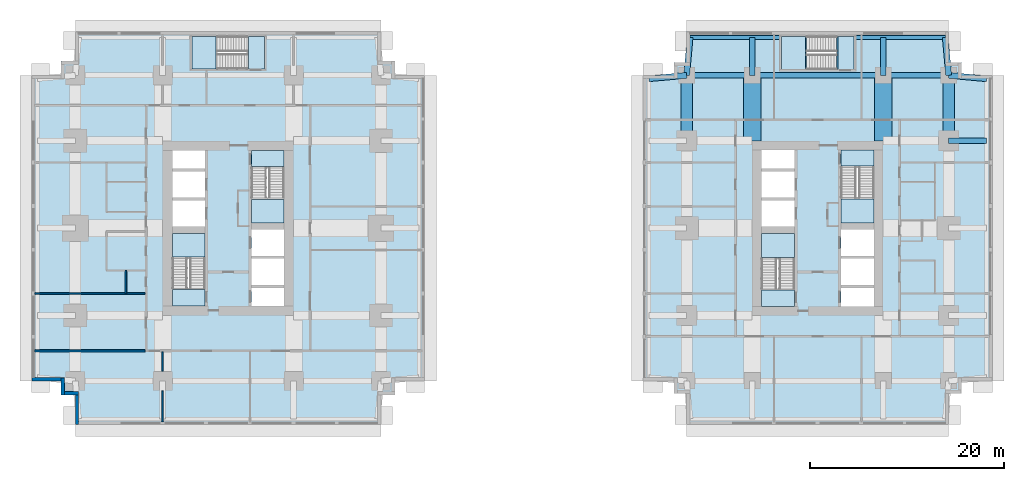
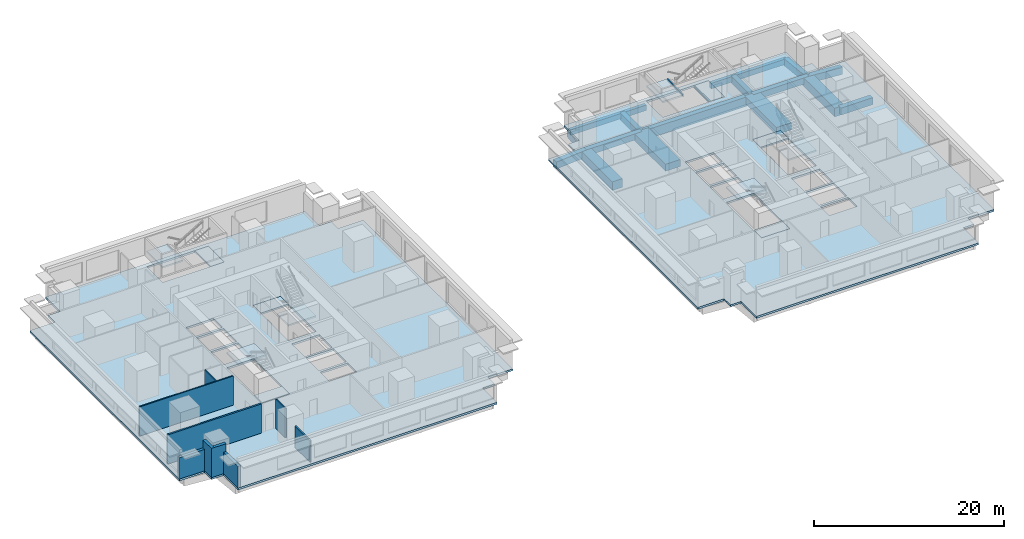
# One storey, part 2 of 11: 18 beams, 14 slabs, 9 walls, 6 elements without a shape of their own.
"""IFC4 building model written with IfcOpenShell, lengths in metres."""

from ifc_helpers import new_model, si_unit, direction, frame, frame_2d, origin, origin_2d, place, context, subcontext, project, spatial, polyline, rectangle, i_section, outline, extrude, material, layer, layer_set, material_profile, profile_set, type_object, element, aggregate, save


model = new_model("IFC4")

# Units and contexts
model_context = context("Model", 3, precision=1e-05, world=origin(), true_north=direction((0.0, 1.0)))
body_context = subcontext(model_context, "Body", "Model", "MODEL_VIEW")
ifc_project = project(units=[si_unit("LENGTHUNIT", "METRE"), si_unit("AREAUNIT", "SQUARE_METRE"), si_unit("VOLUMEUNIT", "CUBIC_METRE"), si_unit("PLANEANGLEUNIT", "RADIAN"), si_unit("MASSUNIT", "GRAM", prefix="KILO")], contexts=[model_context])

# Site, building, storey
site_placement = place(None, origin())
site = spatial("IfcSite", under=ifc_project, at=site_placement, CompositionType="ELEMENT")
building_placement = place(site_placement, origin())
building = spatial("IfcBuilding", under=site, at=building_placement, Name="Namib Vertical Campus", CompositionType="ELEMENT")
storey_placement = place(building_placement, frame((0.0, 0.0, 73.0)))
storey = spatial("IfcBuildingStorey", under=building, at=storey_placement, Name="L17", CompositionType="ELEMENT", Elevation=73.0)

# Beams
ifc_material_1 = material(Name="Concrete C40/50", Category="concrete")
ifc_material_profile_1 = material_profile(ifc_material_1, rectangle(XDim=0.60009765625, YDim=0.89990234375, at=origin_2d()))
ifc_profile_set_1 = profile_set([ifc_material_profile_1], Name="Concrete C40/50")
beam_type_1 = type_object("IfcBeamType", Name="Cantilever girder RC 600x900", PredefinedType="BEAM", material=ifc_profile_set_1)
beam_1_placement = place(storey_placement, frame((67.5, 36.0, -0.699951171875), z_axis=(0.089411326146, 0.995994786511, 0.0), x_axis=(-0.995994786511, 0.089411326146, 0.0)))
element("IfcBeam", 1, at=beam_1_placement, inside=storey, type_object=beam_type_1, Name="Beam B3 L17", PredefinedType="BEAM", context=body_context, shape_type="SweptSolid", body=[
    extrude(rectangle(XDim=0.60009765625, YDim=0.89990234375, at=origin_2d()), origin(), (0.0, 0.0, 1.0), 3.91552734375),
])
for number, where, z_axis, x_axis, name in (
    (2, (74.25, 36.0, -0.699951171875), (0.0, 1.0, 0.0), (-1.0, 0.0, 0.0), "Beam B3 L17"),
    (3, (87.75, 36.0, -0.699951171875), (0.0, 1.0, 0.0), (-1.0, 0.0, 0.0), "Beam B3 L17"),
):
    element("IfcBeam", number, at=place(storey_placement, frame(where, z_axis=z_axis, x_axis=x_axis)), inside=storey, type_object=beam_type_1, Name=name, PredefinedType="BEAM", context=body_context, shape_type="SweptSolid", body=[
        extrude(rectangle(XDim=0.60009765625, YDim=0.89990234375, at=origin_2d()), origin(), (0.0, 0.0, 1.0), 3.89990234375),
    ])
for number, where, z_axis, x_axis, name in (
    (4, (94.5, 36.0, -0.699951171875), (-0.089411326146, 0.995994786511, 0.0), (-0.995994786511, -0.089411326146, 0.0), "Beam B3 L17"),
    (5, (67.5, 36.0, -0.699951171875), (-0.995994786511, -0.089411326146, 0.0), (0.089411326146, -0.995994786511, 0.0), "Beam B3 L17"),
):
    element("IfcBeam", number, at=place(storey_placement, frame(where, z_axis=z_axis, x_axis=x_axis)), inside=storey, type_object=beam_type_1, Name=name, PredefinedType="BEAM", context=body_context, shape_type="SweptSolid", body=[
        extrude(rectangle(XDim=0.60009765625, YDim=0.89990234375, at=origin_2d()), origin(), (0.0, 0.0, 1.0), 3.91552734375),
    ])
beam_2_placement = place(storey_placement, frame((94.5, 29.25, -0.699951171875), z_axis=(1.0, 0.0, 0.0), x_axis=(0.0, 1.0, 0.0)))
element("IfcBeam", 6, at=beam_2_placement, inside=storey, type_object=beam_type_1, Name="Beam B3 L17", PredefinedType="BEAM", context=body_context, shape_type="SweptSolid", body=[
    extrude(rectangle(XDim=0.60009765625, YDim=0.89990234375, at=origin_2d()), origin(), (0.0, 0.0, 1.0), 3.89990234375),
])
beam_3_placement = place(storey_placement, frame((94.5, 36.0, -0.699951171875), z_axis=(0.995994786511, -0.089411326146, 0.0), x_axis=(0.089411326146, 0.995994786511, 0.0)))
element("IfcBeam", 7, at=beam_3_placement, inside=storey, type_object=beam_type_1, Name="Beam B3 L17", PredefinedType="BEAM", context=body_context, shape_type="SweptSolid", body=[
    extrude(rectangle(XDim=0.60009765625, YDim=0.89990234375, at=origin_2d()), origin(), (0.0, 0.0, 1.0), 3.91552734375),
])
ifc_material_2 = material(Name="Concrete C40/50", Category="concrete")
ifc_material_profile_2 = material_profile(ifc_material_2, rectangle(XDim=0.39990234375, YDim=0.699951171875, at=origin_2d()))
ifc_profile_set_2 = profile_set([ifc_material_profile_2], Name="Concrete C40/50")
beam_type_2 = type_object("IfcBeamType", Name="Edge beam RC 400x700", PredefinedType="SPANDREL", material=ifc_profile_set_2)
for number, where, z_axis, x_axis, name in (
    (8, (67.85009765625, 39.89990234375, -0.60009765625), (1.0, 0.0, 0.0), (0.0, 1.0, 0.0), "Beam B4 L17"),
    (9, (84.949951171875, 39.89990234375, -0.60009765625), (1.0, 0.0, 0.0), (0.0, 1.0, 0.0), "Beam B4 L17"),
):
    element("IfcBeam", number, at=place(storey_placement, frame(where, z_axis=z_axis, x_axis=x_axis)), inside=storey, type_object=beam_type_2, Name=name, PredefinedType="SPANDREL", context=body_context, shape_type="SweptSolid", body=[
        extrude(rectangle(XDim=0.39990234375, YDim=0.699951171875, at=origin_2d()), origin(), (0.0, 0.0, 1.0), 9.199951171875),
    ])
ifc_material_3 = material(Name="Concrete C40/50", Category="concrete")
ifc_material_profile_3 = material_profile(ifc_material_3, rectangle(XDim=1.199951171875, YDim=1.10009765625, at=origin_2d()))
ifc_profile_set_3 = profile_set([ifc_material_profile_3], Name="Concrete C40/50")
beam_type_3 = type_object("IfcBeamType", Name="Face ring beam RC 1200x1100", PredefinedType="BEAM", material=ifc_profile_set_3)
for number, where, z_axis, x_axis, name in (
    (10, (67.5, 29.25, -0.800048828125), (0.0, 1.0, 0.0), (-1.0, 0.0, 0.0), "Beam B11 L17"),
    (11, (94.5, 29.25, -0.800048828125), (0.0, 1.0, 0.0), (-1.0, 0.0, 0.0), "Beam B11 L17"),
):
    element("IfcBeam", number, at=place(storey_placement, frame(where, z_axis=z_axis, x_axis=x_axis)), inside=storey, type_object=beam_type_3, Name=name, PredefinedType="BEAM", context=body_context, shape_type="SweptSolid", body=[
        extrude(rectangle(XDim=1.199951171875, YDim=1.10009765625, at=origin_2d()), origin(), (0.0, 0.0, 1.0), 6.75),
    ])
ifc_material_4 = material(Name="Steel S355JR", Category="steel")
ifc_material_profile_4 = material_profile(ifc_material_4, i_section(OverallWidth=0.14599609375, OverallDepth=0.25146484375, WebThickness=0.006103515625, FlangeThickness=0.008544921875, FilletRadius=0.007568359375, at=origin_2d()))
ifc_profile_set_4 = profile_set([ifc_material_profile_4], Name="Steel S355JR")
beam_type_4 = type_object("IfcBeamType", Name="Landing trimmer UB 254x146x31", PredefinedType="BEAM", material=ifc_profile_set_4)
for number, where, z_axis, x_axis, name in (
    (12, (83.02294921875, 36.60009765625, -0.125732421875), (0.0, 1.0, 0.0), (-1.0, 0.0, 0.0), "Landing trimmer LT1 B-S3 L17 1"),
    (13, (79.796875, 36.60009765625, 1.874267578125), (0.0, 1.0, 0.0), (-1.0, 0.0, 0.0), "Landing trimmer LT1 B-S3 L17 2"),
):
    element("IfcBeam", number, at=place(storey_placement, frame(where, z_axis=z_axis, x_axis=x_axis)), inside=storey, type_object=beam_type_4, Name=name, PredefinedType="BEAM", context=body_context, shape_type="SweptSolid", body=[
        extrude(i_section(OverallWidth=0.14599609375, OverallDepth=0.25146484375, WebThickness=0.006103515625, FlangeThickness=0.008544921875, FilletRadius=0.007568359375, at=origin_2d()), origin(), (0.0, 0.0, 1.0), 3.39990234375),
    ])
ifc_material_5 = material(Name="Concrete C40/50", Category="concrete")
ifc_material_profile_5 = material_profile(ifc_material_5, rectangle(XDim=0.60009765625, YDim=1.199951171875, at=origin_2d()))
ifc_profile_set_5 = profile_set([ifc_material_profile_5], Name="Concrete C40/50")
beam_type_5 = type_object("IfcBeamType", Name="Long-span ring beam RC 600x1200", PredefinedType="BEAM", material=ifc_profile_set_5)
beam_4_placement = place(storey_placement, frame((74.25, 36.0, -0.85009765625), z_axis=(1.0, 0.0, 0.0), x_axis=(0.0, 1.0, 0.0)))
element("IfcBeam", 14, at=beam_4_placement, inside=storey, type_object=beam_type_5, Name="Beam B9 L17", PredefinedType="BEAM", context=body_context, shape_type="SweptSolid", body=[
    extrude(rectangle(XDim=0.60009765625, YDim=1.199951171875, at=origin_2d()), origin(), (0.0, 0.0, 1.0), 13.5),
])
ifc_material_6 = material(Name="Concrete C40/50", Category="concrete")
ifc_material_profile_6 = material_profile(ifc_material_6, rectangle(XDim=1.800048828125, YDim=0.89990234375, at=origin_2d()))
ifc_profile_set_6 = profile_set([ifc_material_profile_6], Name="Concrete C40/50")
beam_type_6 = type_object("IfcBeamType", Name="Outrigger line girder RC 1800x900", PredefinedType="BEAM", material=ifc_profile_set_6)
for number, where, z_axis, x_axis, name in (
    (15, (74.25, 36.0, -0.699951171875), (0.0, -1.0, 0.0), (1.0, 0.0, 0.0), "Beam B12 L17"),
    (16, (87.75, 36.0, -0.699951171875), (0.0, -1.0, 0.0), (1.0, 0.0, 0.0), "Beam B12 L17"),
):
    element("IfcBeam", number, at=place(storey_placement, frame(where, z_axis=z_axis, x_axis=x_axis)), inside=storey, type_object=beam_type_6, Name=name, PredefinedType="BEAM", context=body_context, shape_type="SweptSolid", body=[
        extrude(rectangle(XDim=1.800048828125, YDim=0.89990234375, at=origin_2d()), origin(), (0.0, 0.0, 1.0), 6.75),
    ])
ifc_material_7 = material(Name="Concrete C40/50", Category="concrete")
ifc_material_profile_7 = material_profile(ifc_material_7, rectangle(XDim=0.60009765625, YDim=0.800048828125, at=origin_2d()))
ifc_profile_set_7 = profile_set([ifc_material_profile_7], Name="Concrete C40/50")
beam_type_7 = type_object("IfcBeamType", Name="Ring beam RC 600x800", PredefinedType="BEAM", material=ifc_profile_set_7)
for number, where, z_axis, x_axis, name in (
    (17, (67.5, 36.0, -0.64990234375), (1.0, 0.0, 0.0), (0.0, 1.0, 0.0), "Beam B1 L17"),
    (18, (87.75, 36.0, -0.64990234375), (1.0, 0.0, 0.0), (0.0, 1.0, 0.0), "Beam B1 L17"),
):
    element("IfcBeam", number, at=place(storey_placement, frame(where, z_axis=z_axis, x_axis=x_axis)), inside=storey, type_object=beam_type_7, Name=name, PredefinedType="BEAM", context=body_context, shape_type="SweptSolid", body=[
        extrude(rectangle(XDim=0.60009765625, YDim=0.800048828125, at=origin_2d()), origin(), (0.0, 0.0, 1.0), 6.75),
    ])

# Slabs
ifc_material_8 = material(Name="Concrete C40/50", Category="concrete")
ifc_layer_1 = layer(ifc_material_8, 0.25)
ifc_layer_set_1 = layer_set([ifc_layer_1], Name="Concrete C40/50")
slab_type_1 = type_object("IfcSlabType", Name="Floor slab 250", PredefinedType="FLOOR", material=ifc_layer_set_1)
slab_1_placement = place(storey_placement, frame((0.0, 0.0, -0.25)))
element("IfcSlab", 19, at=slab_1_placement, inside=storey, type_object=slab_type_1, Name="Floor slab A L17", PredefinedType="FLOOR", context=body_context, shape_type="SweptSolid", body=[
    extrude(outline(polyline([(4.5, 0.0), (36.0, 0.0), (36.0, 3.050048828125), (37.449951171875, 3.050048828125), (37.449951171875, 4.5), (40.5, 4.5), (40.5, 36.0), (37.449951171875, 36.0), (37.449951171875, 37.449951171875), (36.0, 37.449951171875), (36.0, 40.5), (4.5, 40.5), (4.5, 37.449951171875), (3.050048828125, 37.449951171875), (3.050048828125, 36.0), (0.0, 36.0), (0.0, 4.5), (3.050048828125, 4.5), (3.050048828125, 3.050048828125), (4.5, 3.050048828125), (4.5, 0.0)]), holes=[polyline([(14.5, 12.25), (17.85009765625, 12.25), (17.85009765625, 19.699951171875), (14.5, 19.699951171875), (14.5, 12.25)]), polyline([(22.64990234375, 20.800048828125), (26.0, 20.800048828125), (26.0, 28.25), (22.64990234375, 28.25), (22.64990234375, 20.800048828125)]), polyline([(22.64990234375, 12.25), (26.0, 12.25), (26.0, 14.10009765625), (22.64990234375, 14.10009765625), (22.64990234375, 12.25)]), polyline([(14.5, 20.39990234375), (17.85009765625, 20.39990234375), (17.85009765625, 23.10009765625), (14.5, 23.10009765625), (14.5, 20.39990234375)]), polyline([(14.5, 23.39990234375), (17.85009765625, 23.39990234375), (17.85009765625, 26.10009765625), (14.5, 26.10009765625), (14.5, 23.39990234375)]), polyline([(14.5, 26.39990234375), (17.85009765625, 26.39990234375), (17.85009765625, 28.25), (14.5, 28.25), (14.5, 26.39990234375)]), polyline([(22.64990234375, 14.39990234375), (26.0, 14.39990234375), (26.0, 17.10009765625), (22.64990234375, 17.10009765625), (22.64990234375, 14.39990234375)]), polyline([(22.64990234375, 17.39990234375), (26.0, 17.39990234375), (26.0, 20.10009765625), (22.64990234375, 20.10009765625), (22.64990234375, 17.39990234375)]), polyline([(16.5, 36.64990234375), (24.0, 36.64990234375), (24.0, 40.0), (16.5, 40.0), (16.5, 36.64990234375)])]), origin(), (0.0, 0.0, 1.0), 0.25),
])
slab_2_placement = place(storey_placement, frame((0.0, 0.0, -0.25)))
element("IfcSlab", 20, at=slab_2_placement, inside=storey, type_object=slab_type_1, Name="Floor slab B L17", PredefinedType="FLOOR", context=body_context, shape_type="SweptSolid", body=[
    extrude(outline(polyline([(67.5, 0.0), (94.5, 0.0), (94.5, 3.199951171875), (95.800048828125, 3.199951171875), (95.800048828125, 4.5), (99.0, 4.5), (99.0, 36.0), (95.800048828125, 36.0), (95.800048828125, 37.300048828125), (94.5, 37.300048828125), (94.5, 40.5), (67.5, 40.5), (67.5, 37.300048828125), (66.199951171875, 37.300048828125), (66.199951171875, 36.0), (63.0, 36.0), (63.0, 4.5), (66.199951171875, 4.5), (66.199951171875, 3.199951171875), (67.5, 3.199951171875), (67.5, 0.0)]), holes=[polyline([(75.199951171875, 12.199951171875), (78.60009765625, 12.199951171875), (78.60009765625, 19.699951171875), (75.199951171875, 19.699951171875), (75.199951171875, 12.199951171875)]), polyline([(83.39990234375, 20.800048828125), (86.800048828125, 20.800048828125), (86.800048828125, 28.300048828125), (83.39990234375, 28.300048828125), (83.39990234375, 20.800048828125)]), polyline([(83.39990234375, 12.199951171875), (86.800048828125, 12.199951171875), (86.800048828125, 14.10009765625), (83.39990234375, 14.10009765625), (83.39990234375, 12.199951171875)]), polyline([(75.199951171875, 20.39990234375), (78.60009765625, 20.39990234375), (78.60009765625, 23.10009765625), (75.199951171875, 23.10009765625), (75.199951171875, 20.39990234375)]), polyline([(75.199951171875, 23.39990234375), (78.60009765625, 23.39990234375), (78.60009765625, 26.10009765625), (75.199951171875, 26.10009765625), (75.199951171875, 23.39990234375)]), polyline([(75.199951171875, 26.39990234375), (78.60009765625, 26.39990234375), (78.60009765625, 28.300048828125), (75.199951171875, 28.300048828125), (75.199951171875, 26.39990234375)]), polyline([(83.39990234375, 14.39990234375), (86.800048828125, 14.39990234375), (86.800048828125, 17.10009765625), (83.39990234375, 17.10009765625), (83.39990234375, 14.39990234375)]), polyline([(83.39990234375, 17.39990234375), (86.800048828125, 17.39990234375), (86.800048828125, 20.10009765625), (83.39990234375, 20.10009765625), (83.39990234375, 17.39990234375)]), polyline([(77.25, 36.60009765625), (84.75, 36.60009765625), (84.75, 40.0), (77.25, 40.0), (77.25, 36.60009765625)])]), origin(), (0.0, 0.0, 1.0), 0.25),
])

# Stair, slabs
ifc_material_9 = material(Name="Concrete C40/50 precast", Category="concrete")
stair_type_1 = type_object("IfcStairType", Name="Exit stair 4000 rise 24 risers 3350 wide", PredefinedType="HALF_TURN_STAIR", material=ifc_material_9)
stair_1_placement = place(storey_placement, origin())
stair_1 = element("IfcStair", 21, at=stair_1_placement, inside=storey, type_object=stair_type_1, Name="Exit stair A-S1 L17", PredefinedType="HALF_TURN_STAIR")
ifc_material_10 = material(Name="Concrete C40/50", Category="concrete")
ifc_layer_2 = layer(ifc_material_10, 0.199951171875)
ifc_layer_set_2 = layer_set([ifc_layer_2], Name="Concrete C40/50")
slab_type_2 = type_object("IfcSlabType", Name="Stair landing 200", PredefinedType="LANDING", material=ifc_layer_set_2)
slab_3_placement = place(storey_placement, frame((0.0, 0.0, -0.199951171875)))
slab_3 = element("IfcSlab", 22, at=slab_3_placement, type_object=slab_type_2, Name="A-S1 landing 1", PredefinedType="LANDING", context=body_context, shape_type="SweptSolid", body=[
    extrude(outline(polyline([(14.5, 12.25), (17.85009765625, 12.25), (17.85009765625, 13.90380859375), (14.5, 13.90380859375), (14.5, 12.25)])), origin(), (0.0, 0.0, 1.0), 0.199951171875),
])
slab_4_placement = place(storey_placement, frame((0.0, 0.0, 1.800048828125)))
slab_4 = element("IfcSlab", 23, at=slab_4_placement, type_object=slab_type_2, Name="A-S1 landing 2", PredefinedType="LANDING", context=body_context, shape_type="SweptSolid", body=[
    extrude(outline(polyline([(14.5, 17.276123046875), (17.85009765625, 17.276123046875), (17.85009765625, 19.699951171875), (14.5, 19.699951171875), (14.5, 17.276123046875)])), origin(), (0.0, 0.0, 1.0), 0.199951171875),
])
aggregate(stair_1, [slab_3, slab_4])

stair_2_placement = place(storey_placement, origin())
stair_2 = element("IfcStair", 24, at=stair_2_placement, inside=storey, type_object=stair_type_1, Name="Exit stair A-S2 L17", PredefinedType="HALF_TURN_STAIR")
slab_5_placement = place(storey_placement, frame((0.0, 0.0, -0.199951171875)))
slab_5 = element("IfcSlab", 25, at=slab_5_placement, type_object=slab_type_2, Name="A-S2 landing 1", PredefinedType="LANDING", context=body_context, shape_type="SweptSolid", body=[
    extrude(outline(polyline([(22.64990234375, 26.59619140625), (26.0, 26.59619140625), (26.0, 28.25), (22.64990234375, 28.25), (22.64990234375, 26.59619140625)])), origin(), (0.0, 0.0, 1.0), 0.199951171875),
])
slab_6_placement = place(storey_placement, frame((0.0, 0.0, 1.800048828125)))
slab_6 = element("IfcSlab", 26, at=slab_6_placement, type_object=slab_type_2, Name="A-S2 landing 2", PredefinedType="LANDING", context=body_context, shape_type="SweptSolid", body=[
    extrude(outline(polyline([(22.64990234375, 20.800048828125), (26.0, 20.800048828125), (26.0, 23.223876953125), (22.64990234375, 23.223876953125), (22.64990234375, 20.800048828125)])), origin(), (0.0, 0.0, 1.0), 0.199951171875),
])
aggregate(stair_2, [slab_5, slab_6])

ifc_material_11 = material(Name="Concrete C40/50 precast", Category="concrete")
stair_type_2 = type_object("IfcStairType", Name="Exit stair 4000 rise 24 risers 3400 wide", PredefinedType="HALF_TURN_STAIR", material=ifc_material_11)
stair_3_placement = place(storey_placement, origin())
stair_3 = element("IfcStair", 27, at=stair_3_placement, inside=storey, type_object=stair_type_2, Name="Exit stair B-S1 L17", PredefinedType="HALF_TURN_STAIR")
slab_7_placement = place(storey_placement, frame((0.0, 0.0, -0.199951171875)))
slab_7 = element("IfcSlab", 28, at=slab_7_placement, type_object=slab_type_2, Name="B-S1 landing 1", PredefinedType="LANDING", context=body_context, shape_type="SweptSolid", body=[
    extrude(outline(polyline([(75.199951171875, 12.199951171875), (78.60009765625, 12.199951171875), (78.60009765625, 13.85400390625), (75.199951171875, 13.85400390625), (75.199951171875, 12.199951171875)])), origin(), (0.0, 0.0, 1.0), 0.199951171875),
])
slab_8_placement = place(storey_placement, frame((0.0, 0.0, 1.800048828125)))
slab_8 = element("IfcSlab", 29, at=slab_8_placement, type_object=slab_type_2, Name="B-S1 landing 2", PredefinedType="LANDING", context=body_context, shape_type="SweptSolid", body=[
    extrude(outline(polyline([(75.199951171875, 17.22607421875), (78.60009765625, 17.22607421875), (78.60009765625, 19.699951171875), (75.199951171875, 19.699951171875), (75.199951171875, 17.22607421875)])), origin(), (0.0, 0.0, 1.0), 0.199951171875),
])
aggregate(stair_3, [slab_7, slab_8])

stair_4_placement = place(storey_placement, origin())
stair_4 = element("IfcStair", 30, at=stair_4_placement, inside=storey, type_object=stair_type_2, Name="Exit stair B-S2 L17", PredefinedType="HALF_TURN_STAIR")
slab_9_placement = place(storey_placement, frame((0.0, 0.0, -0.199951171875)))
slab_9 = element("IfcSlab", 31, at=slab_9_placement, type_object=slab_type_2, Name="B-S2 landing 1", PredefinedType="LANDING", context=body_context, shape_type="SweptSolid", body=[
    extrude(outline(polyline([(83.39990234375, 26.64599609375), (86.800048828125, 26.64599609375), (86.800048828125, 28.300048828125), (83.39990234375, 28.300048828125), (83.39990234375, 26.64599609375)])), origin(), (0.0, 0.0, 1.0), 0.199951171875),
])
slab_10_placement = place(storey_placement, frame((0.0, 0.0, 1.800048828125)))
slab_10 = element("IfcSlab", 32, at=slab_10_placement, type_object=slab_type_2, Name="B-S2 landing 2", PredefinedType="LANDING", context=body_context, shape_type="SweptSolid", body=[
    extrude(outline(polyline([(83.39990234375, 20.800048828125), (86.800048828125, 20.800048828125), (86.800048828125, 23.27392578125), (83.39990234375, 23.27392578125), (83.39990234375, 20.800048828125)])), origin(), (0.0, 0.0, 1.0), 0.199951171875),
])
aggregate(stair_4, [slab_9, slab_10])

stair_5_placement = place(storey_placement, origin())
stair_5 = element("IfcStair", 33, at=stair_5_placement, inside=storey, type_object=stair_type_1, Name="Exit stair A-S3 L17", PredefinedType="HALF_TURN_STAIR")
slab_11_placement = place(storey_placement, frame((0.0, 0.0, -0.199951171875)))
slab_11 = element("IfcSlab", 34, at=slab_11_placement, type_object=slab_type_2, Name="A-S3 landing 1", PredefinedType="LANDING", context=body_context, shape_type="SweptSolid", body=[
    extrude(outline(polyline([(22.34619140625, 36.64990234375), (22.34619140625, 40.0), (24.0, 40.0), (24.0, 36.64990234375), (22.34619140625, 36.64990234375)])), origin(), (0.0, 0.0, 1.0), 0.199951171875),
])
slab_12_placement = place(storey_placement, frame((0.0, 0.0, 1.800048828125)))
slab_12 = element("IfcSlab", 35, at=slab_12_placement, type_object=slab_type_2, Name="A-S3 landing 2", PredefinedType="LANDING", context=body_context, shape_type="SweptSolid", body=[
    extrude(outline(polyline([(16.5, 36.64990234375), (16.5, 40.0), (18.973876953125, 40.0), (18.973876953125, 36.64990234375), (16.5, 36.64990234375)])), origin(), (0.0, 0.0, 1.0), 0.199951171875),
])
aggregate(stair_5, [slab_11, slab_12])

stair_6_placement = place(storey_placement, origin())
stair_6 = element("IfcStair", 36, at=stair_6_placement, inside=storey, type_object=stair_type_2, Name="Exit stair B-S3 L17", PredefinedType="HALF_TURN_STAIR")
slab_13_placement = place(storey_placement, frame((0.0, 0.0, -0.199951171875)))
slab_13 = element("IfcSlab", 37, at=slab_13_placement, type_object=slab_type_2, Name="B-S3 landing 1", PredefinedType="LANDING", context=body_context, shape_type="SweptSolid", body=[
    extrude(outline(polyline([(83.09619140625, 36.60009765625), (83.09619140625, 40.0), (84.75, 40.0), (84.75, 36.60009765625), (83.09619140625, 36.60009765625)])), origin(), (0.0, 0.0, 1.0), 0.199951171875),
])
slab_14_placement = place(storey_placement, frame((0.0, 0.0, 1.800048828125)))
slab_14 = element("IfcSlab", 38, at=slab_14_placement, type_object=slab_type_2, Name="B-S3 landing 2", PredefinedType="LANDING", context=body_context, shape_type="SweptSolid", body=[
    extrude(outline(polyline([(77.25, 36.60009765625), (77.25, 40.0), (79.723876953125, 40.0), (79.723876953125, 36.60009765625), (77.25, 36.60009765625)])), origin(), (0.0, 0.0, 1.0), 0.199951171875),
])
aggregate(stair_6, [slab_13, slab_14])

# Walls
ifc_material_12 = material(Name="Concrete masonry", Category="masonry")
ifc_layer_3 = layer(ifc_material_12, 0.199951171875)
ifc_layer_set_3 = layer_set([ifc_layer_3], Name="Corridor wall 200")
wall_type_1 = type_object("IfcWallType", Name="Corridor wall 200", PredefinedType="SOLIDWALL", material=ifc_layer_set_3)
wall_1_placement = place(storey_placement, frame((0.300048828125, 7.60009765625, 0.0), z_axis=(0.0, 0.0, 1.0), x_axis=(1.0, 0.0, 0.0)))
element("IfcWall", 39, at=wall_1_placement, inside=storey, type_object=wall_type_1, Name="Partition A L17 BSW", PredefinedType="SOLIDWALL", context=body_context, shape_type="SweptSolid", body=[
    extrude(rectangle(XDim=11.39990234375, YDim=0.199951171875, at=frame_2d((5.699951171875, 0.0))), origin(), (0.0, 0.0, 1.0), 3.75),
])
ifc_material_13 = material(Name="Concrete C40/50", Category="concrete")
ifc_layer_4 = layer(ifc_material_13, 0.35009765625)
ifc_layer_set_4 = layer_set([ifc_layer_4], Name="Concrete C40/50")
wall_type_2 = type_object("IfcWallType", Name="External wall 350 bush-hammered concrete", PredefinedType="STANDARD", material=ifc_layer_set_4)
wall_2_placement = place(storey_placement, frame((0.02001953125, 4.675048828125, 0.0), z_axis=(0.0, 0.0, 1.0), x_axis=(1.0, 0.0, 0.0)))
element("IfcWall", 40, at=wall_2_placement, inside=storey, type_object=wall_type_2, Name="External wall L17 F17", PredefinedType="STANDARD", context=body_context, shape_type="SweptSolid", body=[
    extrude(rectangle(XDim=3.35986328125, YDim=0.35009765625, at=frame_2d((1.679931640625, 0.0))), origin(), (0.0, 0.0, 1.0), 2.75),
])
for number, where, z_axis, x_axis, name in (
    (41, (3.22509765625, 4.830078125, 0.0), (0.0, 0.0, 1.0), (0.0, -1.0, 0.0), "External wall L17 F18"),
    (42, (3.070068359375, 3.22509765625, 0.0), (0.0, 0.0, 1.0), (1.0, 0.0, 0.0), "External wall L17 F19"),
):
    element("IfcWall", number, at=place(storey_placement, frame(where, z_axis=z_axis, x_axis=x_axis)), inside=storey, type_object=wall_type_2, Name=name, PredefinedType="STANDARD", context=body_context, shape_type="SweptSolid", body=[
        extrude(rectangle(XDim=1.760009765625, YDim=0.35009765625, at=frame_2d((0.8798828125, 0.0))), origin(), (0.0, 0.0, 1.0), 3.75),
    ])
wall_3_placement = place(storey_placement, frame((4.675048828125, 3.3798828125, 0.0), z_axis=(0.0, 0.0, 1.0), x_axis=(0.0, -1.0, 0.0)))
element("IfcWall", 43, at=wall_3_placement, inside=storey, type_object=wall_type_2, Name="External wall L17 F20", PredefinedType="STANDARD", context=body_context, shape_type="SweptSolid", body=[
    extrude(rectangle(XDim=3.35986328125, YDim=0.35009765625, at=frame_2d((1.679931640625, 0.0))), origin(), (0.0, 0.0, 1.0), 2.75),
])
ifc_material_14 = material(Name="Gypsum board on steel studs", Category="steel")
ifc_layer_5 = layer(ifc_material_14, 0.14990234375)
ifc_layer_set_5 = layer_set([ifc_layer_5], Name="Gypsum board on steel studs")
wall_type_3 = type_object("IfcWallType", Name="Partition 150", PredefinedType="PARTITIONING", material=ifc_layer_set_5)
wall_4_placement = place(storey_placement, frame((13.5, 0.300048828125, 0.0), z_axis=(0.0, 0.0, 1.0), x_axis=(0.0, 1.0, 0.0)))
element("IfcWall", 44, at=wall_4_placement, inside=storey, type_object=wall_type_3, Name="Partition A L17 PS1", PredefinedType="PARTITIONING", context=body_context, shape_type="SweptSolid", body=[
    extrude(rectangle(XDim=3.179931640625, YDim=0.14990234375, at=frame_2d((1.58984375, 0.0))), origin(), (0.0, 0.0, 1.0), 2.75),
])
wall_5_placement = place(storey_placement, frame((13.5, 5.52001953125, 0.0), z_axis=(0.0, 0.0, 1.0), x_axis=(0.0, 1.0, 0.0)))
element("IfcWall", 45, at=wall_5_placement, inside=storey, type_object=wall_type_3, Name="Partition A L17 PS1", PredefinedType="PARTITIONING", context=body_context, shape_type="SweptSolid", body=[
    extrude(rectangle(XDim=1.97998046875, YDim=0.14990234375, at=frame_2d((0.989990234375, 0.0))), origin(), (0.0, 0.0, 1.0), 3.75),
])
wall_6_placement = place(storey_placement, frame((0.300048828125, 13.5, 0.0), z_axis=(0.0, 0.0, 1.0), x_axis=(1.0, 0.0, 0.0)))
element("IfcWall", 46, at=wall_6_placement, inside=storey, type_object=wall_type_3, Name="Partition A L17 PW1", PredefinedType="PARTITIONING", context=body_context, shape_type="SweptSolid", body=[
    extrude(rectangle(XDim=11.39990234375, YDim=0.14990234375, at=frame_2d((5.699951171875, 0.0))), origin(), (0.0, 0.0, 1.0), 3.75),
])
wall_7_placement = place(storey_placement, frame((9.699951171875, 13.5, 0.0), z_axis=(0.0, 0.0, 1.0), x_axis=(0.0, 1.0, 0.0)))
element("IfcWall", 47, at=wall_7_placement, inside=storey, type_object=wall_type_3, Name="Partition A L17 WB1", PredefinedType="PARTITIONING", context=body_context, shape_type="SweptSolid", body=[
    extrude(rectangle(XDim=2.39990234375, YDim=0.14990234375, at=frame_2d((1.199951171875, 0.0))), origin(), (0.0, 0.0, 1.0), 3.75),
])

save(model, "model.ifc")
